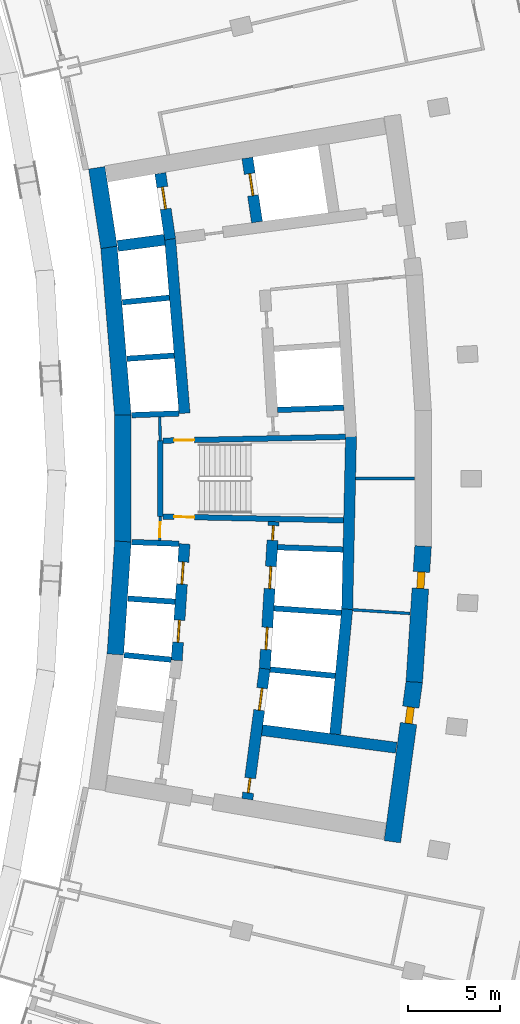
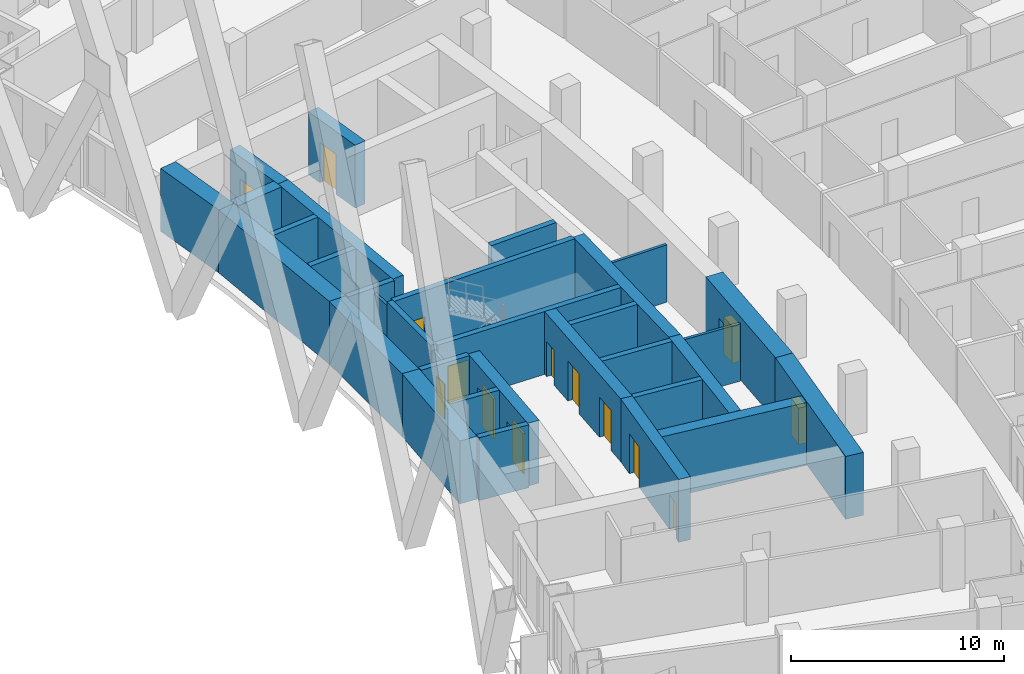
# One storey, part 16 of 25: 33 walls, 14 doors, 14 openings.
"""IFC4 building model written with IfcOpenShell, lengths in metres."""

from ifc_helpers import new_model, si_unit, direction, frame, frame_2d, origin, place, context, subcontext, project, spatial, rectangle, extrude, material, layer, layer_set, type_object, element, fill, save


model = new_model("IFC4")

# Units and contexts
model_context = context("Model", 3, precision=1e-05, world=origin(), true_north=direction((0.0, 1.0)))
body_context = subcontext(model_context, "Body", "Model", "MODEL_VIEW")
ifc_project = project(units=[si_unit("LENGTHUNIT", "METRE"), si_unit("AREAUNIT", "SQUARE_METRE"), si_unit("VOLUMEUNIT", "CUBIC_METRE"), si_unit("PLANEANGLEUNIT", "RADIAN"), si_unit("MASSUNIT", "GRAM", prefix="KILO")], contexts=[model_context])

# Site, building, storey
site_placement = place(None, origin())
site = spatial("IfcSite", under=ifc_project, at=site_placement, CompositionType="ELEMENT")
building_placement = place(site_placement, origin())
building = spatial("IfcBuilding", under=site, at=building_placement, Name="Alderwake Tower", CompositionType="ELEMENT")
storey_placement = place(building_placement, frame((0.0, 0.0, 32.0)))
storey = spatial("IfcBuildingStorey", under=building, at=storey_placement, Name="L06", CompositionType="ELEMENT", Elevation=32.0)

# Wall, opening, door
ifc_material_1 = material(Name="Gypsum shaft wall system, rated")
ifc_layer_1 = layer(ifc_material_1, 0.14990234375)
ifc_layer_set_1 = layer_set([ifc_layer_1], Name="Core room partition 150")
wall_type_1 = type_object("IfcWallType", Name="Core room partition 150", PredefinedType="PARTITIONING", material=ifc_layer_set_1)
wall_1_placement = place(storey_placement, frame((18.918701171875, 58.94384765625, 0.0), z_axis=(0.0, 0.0, 1.0), x_axis=(-0.027348257573, -0.999625966453, 0.0)))
wall_1 = element("IfcWall", 1, at=wall_1_placement, inside=storey, type_object=wall_type_1, Name="CW/L06/PA+24_-37", PredefinedType="PARTITIONING", context=body_context, shape_type="SweptSolid", body=[
    extrude(rectangle(XDim=1.29443359375, YDim=0.14990234375, at=frame_2d((0.647216796875, 0.0))), origin(), (0.0, 0.0, 1.0), 3.280029296875),
])
opening_1_placement = place(wall_1_placement, frame((0.322998046875, 0.0, 0.0)))
opening_1 = element("IfcOpeningElement", 2, at=opening_1_placement, cuts=wall_1, Name="Opening C004", PredefinedType="OPENING", context=body_context, shape_type="SweptSolid", body=[
    extrude(rectangle(XDim=0.800048828125, YDim=2.0, at=frame_2d((0.39990234375, 1.0))), frame((0.0, 0.0849609375, 0.0), z_axis=(0.0, -1.0, 0.0), x_axis=(1.0, 0.0, 0.0)), (0.0, 0.0, 1.0), 0.169921875),
])
ifc_material_2 = material(Name="Painted steel leaf, rated", Category="steel")
door_type_1 = type_object("IfcDoorType", Name="Riser access door 800", OperationType="SINGLE_SWING_LEFT", PredefinedType="DOOR", material=ifc_material_2)
door_1_placement = place(opening_1_placement, origin())
door_1 = element("IfcDoor", 3, at=door_1_placement, inside=storey, type_object=door_type_1, Name="Riser access door", OperationType="SINGLE_SWING_RIGHT", OverallHeight=2.0, OverallWidth=0.800048828125, PredefinedType="DOOR", context=body_context, shape_type="SweptSolid", body=[
    extrude(rectangle(XDim=0.800048828125, YDim=2.0, at=frame_2d((0.39990234375, 1.0))), frame((0.0, 0.02490234375, 0.0), z_axis=(0.0, -1.0, 0.0), x_axis=(1.0, 0.0, 0.0)), (0.0, 0.0, 1.0), 0.050048828125),
])
fill(opening_1, door_1)

# Walls
wall_2_placement = place(storey_placement, frame((18.918701171875, 63.05517578125, 0.0), z_axis=(0.0, 0.0, 1.0), x_axis=(-0.027327648352, 0.999626530078, 0.0)))
element("IfcWall", 4, at=wall_2_placement, inside=storey, type_object=wall_type_1, Name="CW/L06/PA+24_+22", PredefinedType="PARTITIONING", context=body_context, shape_type="SweptSolid", body=[
    extrude(rectangle(XDim=1.29541015625, YDim=0.14990234375, at=frame_2d((0.647705078125, 0.0))), origin(), (0.0, 0.0, 1.0), 3.280029296875),
])
wall_3_placement = place(storey_placement, frame((29.368408203125, 53.8779296875, 0.0), z_axis=(0.0, 0.0, 1.0), x_axis=(0.997885422127, -0.064997571548, 0.0)))
element("IfcWall", 5, at=wall_3_placement, inside=storey, type_object=wall_type_1, Name="CW/L06/PR-68_+128", PredefinedType="PARTITIONING", context=body_context, shape_type="SweptSolid", body=[
    extrude(rectangle(XDim=3.110107421875, YDim=0.14990234375, at=frame_2d((1.55517578125, 0.0))), origin(), (0.0, 0.0, 1.0), 3.280029296875),
])
wall_4_placement = place(storey_placement, frame((29.526123046875, 61.0, 0.0), z_axis=(0.0, 0.0, 1.0), x_axis=(1.0, 0.0, 0.0)))
element("IfcWall", 6, at=wall_4_placement, inside=storey, type_object=wall_type_1, Name="CW/L06/PR+0_+128", PredefinedType="PARTITIONING", context=body_context, shape_type="SweptSolid", body=[
    extrude(rectangle(XDim=3.18408203125, YDim=0.14990234375, at=frame_2d((1.592041015625, 0.0))), origin(), (0.0, 0.0, 1.0), 3.280029296875),
])
ifc_material_3 = material(Name="Concrete C70/85", Category="concrete")
ifc_layer_2 = layer(ifc_material_3, 0.89990234375)
ifc_layer_set_2 = layer_set([ifc_layer_2], Name="Core wall outer 900 C70-85")
wall_type_2 = type_object("IfcWallType", Name="Core wall outer 900 C70-85", PredefinedType="SHEAR", material=ifc_layer_set_2)
wall_5_placement = place(storey_placement, frame((16.47900390625, 51.449951171875, 0.0), z_axis=(0.0, 0.0, 1.0), x_axis=(0.06689316208, 0.997760143956, 0.0)))
element("IfcWall", 7, at=wall_5_placement, inside=storey, type_object=wall_type_2, Name="Core wall CW.041", PredefinedType="SHEAR", context=body_context, shape_type="SweptSolid", body=[
    extrude(rectangle(XDim=6.149658203125, YDim=0.89990234375, at=frame_2d((3.07470703125, 0.0))), origin(), (0.0, 0.0, 1.0), 3.60009765625),
])
wall_6_placement = place(storey_placement, frame((16.889404296875, 57.5546875, 0.0), z_axis=(0.0, 0.0, 1.0), x_axis=(0.0, 1.0, 0.0)))
element("IfcWall", 8, at=wall_6_placement, inside=storey, type_object=wall_type_2, Name="Core wall CW.043", PredefinedType="SHEAR", context=body_context, shape_type="SweptSolid", body=[
    extrude(rectangle(XDim=6.89404296875, YDim=0.89990234375, at=frame_2d((3.447021484375, 0.0))), origin(), (0.0, 0.0, 1.0), 3.60009765625),
])
wall_7_placement = place(storey_placement, frame((16.890869140625, 64.41064453125, 0.0), z_axis=(0.0, 0.0, 1.0), x_axis=(-0.082624275373, 0.996580768989, 0.0)))
element("IfcWall", 9, at=wall_7_placement, inside=storey, type_object=wall_type_2, Name="Core wall CW.040", PredefinedType="SHEAR", context=body_context, shape_type="SweptSolid", body=[
    extrude(rectangle(XDim=9.210205078125, YDim=0.89990234375, at=frame_2d((4.60498046875, 0.0))), origin(), (0.0, 0.0, 1.0), 3.60009765625),
])
wall_8_placement = place(storey_placement, frame((16.1337890625, 73.557373046875, 0.0), z_axis=(0.0, 0.0, 1.0), x_axis=(-0.151956504286, 0.988387181627, 0.0)))
element("IfcWall", 10, at=wall_8_placement, inside=storey, type_object=wall_type_2, Name="Core wall CW.039", PredefinedType="SHEAR", context=body_context, shape_type="SweptSolid", body=[
    extrude(rectangle(XDim=4.373291015625, YDim=0.89990234375, at=frame_2d((2.1865234375, 0.0))), origin(), (0.0, 0.0, 1.0), 3.60009765625),
])

# Wall, opening, door
wall_9_placement = place(storey_placement, frame((32.7138671875, 49.9873046875, 0.0), z_axis=(0.0, 0.0, 1.0), x_axis=(-0.135844728876, -0.990730139663, 0.0)))
wall_9 = element("IfcWall", 11, at=wall_9_placement, inside=storey, type_object=wall_type_2, Name="Core wall CW.012", PredefinedType="SHEAR", context=body_context, shape_type="SweptSolid", body=[
    extrude(rectangle(XDim=8.78662109375, YDim=0.89990234375, at=frame_2d((4.393310546875, 0.0))), origin(), (0.0, 0.0, 1.0), 3.60009765625),
])
opening_2_placement = place(wall_9_placement, frame((1.40673828125, 0.0, 0.0)))
opening_2 = element("IfcOpeningElement", 12, at=opening_2_placement, cuts=wall_9, Name="Opening C049", PredefinedType="OPENING", context=body_context, shape_type="SweptSolid", body=[
    extrude(rectangle(XDim=0.89990234375, YDim=2.10009765625, at=frame_2d((0.449951171875, 1.050048828125))), frame((0.0, 0.4599609375, 0.0), z_axis=(0.0, -1.0, 0.0), x_axis=(1.0, 0.0, 0.0)), (0.0, 0.0, 1.0), 0.919921875),
])
ifc_material_4 = material(Name="Painted steel leaf", Category="steel")
door_type_2 = type_object("IfcDoorType", Name="Core room door 900", OperationType="SINGLE_SWING_LEFT", PredefinedType="DOOR", material=ifc_material_4)
door_2_placement = place(opening_2_placement, origin())
door_2 = element("IfcDoor", 13, at=door_2_placement, inside=storey, type_object=door_type_2, Name="Room door", OperationType="SINGLE_SWING_LEFT", OverallHeight=2.10009765625, OverallWidth=0.89990234375, PredefinedType="DOOR", context=body_context, shape_type="SweptSolid", body=[
    extrude(rectangle(XDim=0.89990234375, YDim=2.10009765625, at=frame_2d((0.449951171875, 1.050048828125))), frame((0.0, 0.199951171875, 0.0), z_axis=(0.0, -1.0, 0.0), x_axis=(1.0, 0.0, 0.0)), (0.0, 0.0, 1.0), 0.39990234375),
])
fill(opening_2, door_2)

wall_10_placement = place(storey_placement, frame((33.191162109375, 57.33349609375, 0.0), z_axis=(0.0, 0.0, 1.0), x_axis=(-0.064976219143, -0.997886812693, 0.0)))
wall_10 = element("IfcWall", 14, at=wall_10_placement, inside=storey, type_object=wall_type_2, Name="Core wall CW.011", PredefinedType="SHEAR", context=body_context, shape_type="SweptSolid", body=[
    extrude(rectangle(XDim=7.39453125, YDim=0.89990234375, at=frame_2d((3.697265625, 0.0))), origin(), (0.0, 0.0, 1.0), 3.60009765625),
])
opening_3_placement = place(wall_10_placement, frame((1.405517578125, 0.0, 0.0)))
opening_3 = element("IfcOpeningElement", 15, at=opening_3_placement, cuts=wall_10, Name="Opening C028", PredefinedType="OPENING", context=body_context, shape_type="SweptSolid", body=[
    extrude(rectangle(XDim=0.89990234375, YDim=2.10009765625, at=frame_2d((0.449951171875, 1.050048828125))), frame((0.0, 0.4599609375, 0.0), z_axis=(0.0, -1.0, 0.0), x_axis=(1.0, 0.0, 0.0)), (0.0, 0.0, 1.0), 0.919921875),
])
door_3_placement = place(opening_3_placement, origin())
door_3 = element("IfcDoor", 16, at=door_3_placement, inside=storey, type_object=door_type_2, Name="Room door", OperationType="SINGLE_SWING_LEFT", OverallHeight=2.10009765625, OverallWidth=0.89990234375, PredefinedType="DOOR", context=body_context, shape_type="SweptSolid", body=[
    extrude(rectangle(XDim=0.89990234375, YDim=2.10009765625, at=frame_2d((0.449951171875, 1.050048828125))), frame((0.0, 0.199951171875, 0.0), z_axis=(0.0, -1.0, 0.0), x_axis=(1.0, 0.0, 0.0)), (0.0, 0.0, 1.0), 0.39990234375),
])
fill(opening_3, door_3)

# Walls
ifc_material_5 = material(Name="Concrete C70/85", Category="concrete")
ifc_layer_3 = layer(ifc_material_5, 0.300048828125)
ifc_layer_set_3 = layer_set([ifc_layer_3], Name="Core wall shaft 300 C70-85")
wall_type_3 = type_object("IfcWallType", Name="Core wall shaft 300 C70-85", PredefinedType="SHEAR", material=ifc_layer_set_3)
wall_11_placement = place(storey_placement, frame((16.9580078125, 51.4189453125, 0.0), z_axis=(0.0, 0.0, 1.0), x_axis=(0.995153154577, -0.098337169657, 0.0)))
element("IfcWall", 17, at=wall_11_placement, inside=storey, type_object=wall_type_3, Name="Core wall CW.065", PredefinedType="SHEAR", context=body_context, shape_type="SweptSolid", body=[
    extrude(rectangle(XDim=2.569580078125, YDim=0.300048828125, at=frame_2d((1.28466796875, 0.0))), origin(), (0.0, 0.0, 1.0), 3.60009765625),
])
wall_12_placement = place(storey_placement, frame((24.889404296875, 50.635009765625, 0.0), z_axis=(0.0, 0.0, 1.0), x_axis=(0.995157756799, -0.098290584916, 0.0)))
element("IfcWall", 18, at=wall_12_placement, inside=storey, type_object=wall_type_3, Name="Core wall CW.066", PredefinedType="SHEAR", context=body_context, shape_type="SweptSolid", body=[
    extrude(rectangle(XDim=3.546875, YDim=0.300048828125, at=frame_2d((1.7734375, 0.0))), origin(), (0.0, 0.0, 1.0), 3.60009765625),
])
wall_13_placement = place(storey_placement, frame((17.16357421875, 54.486083984375, 0.0), z_axis=(0.0, 0.0, 1.0), x_axis=(0.997758581961, -0.066916456292, 0.0)))
element("IfcWall", 19, at=wall_13_placement, inside=storey, type_object=wall_type_3, Name="Core wall CW.079", PredefinedType="SHEAR", context=body_context, shape_type="SweptSolid", body=[
    extrude(rectangle(XDim=2.568603515625, YDim=0.300048828125, at=frame_2d((1.2841796875, 0.0))), origin(), (0.0, 0.0, 1.0), 3.60009765625),
])
wall_14_placement = place(storey_placement, frame((25.090087890625, 53.954833984375, 0.0), z_axis=(0.0, 0.0, 1.0), x_axis=(0.997759755038, -0.066898962827, 0.0)))
element("IfcWall", 20, at=wall_14_placement, inside=storey, type_object=wall_type_3, Name="Core wall CW.080", PredefinedType="SHEAR", context=body_context, shape_type="SweptSolid", body=[
    extrude(rectangle(XDim=3.667724609375, YDim=0.300048828125, at=frame_2d((1.833984375, 0.0))), origin(), (0.0, 0.0, 1.0), 3.60009765625),
])
wall_15_placement = place(storey_placement, frame((17.369140625, 57.553466796875, 0.0), z_axis=(0.0, 0.0, 1.0), x_axis=(0.99937189907, -0.035437372217, 0.0)))
element("IfcWall", 21, at=wall_15_placement, inside=storey, type_object=wall_type_3, Name="Core wall CW.076", PredefinedType="SHEAR", context=body_context, shape_type="SweptSolid", body=[
    extrude(rectangle(XDim=2.56982421875, YDim=0.300048828125, at=frame_2d((1.284912109375, 0.0))), origin(), (0.0, 0.0, 1.0), 3.60009765625),
])
wall_16_placement = place(storey_placement, frame((25.29052734375, 57.27294921875, 0.0), z_axis=(0.0, 0.0, 1.0), x_axis=(0.999373490158, -0.035392473348, 0.0)))
element("IfcWall", 22, at=wall_16_placement, inside=storey, type_object=wall_type_3, Name="Core wall CW.077", PredefinedType="SHEAR", context=body_context, shape_type="SweptSolid", body=[
    extrude(rectangle(XDim=3.552490234375, YDim=0.300048828125, at=frame_2d((1.7763671875, 0.0))), origin(), (0.0, 0.0, 1.0), 3.60009765625),
])
wall_17_placement = place(storey_placement, frame((17.369384765625, 64.446533203125, 0.0), z_axis=(0.0, 0.0, 1.0), x_axis=(0.999371660382, 0.035444102817, 0.0)))
element("IfcWall", 23, at=wall_17_placement, inside=storey, type_object=wall_type_3, Name="Core wall CW.059", PredefinedType="SHEAR", context=body_context, shape_type="SweptSolid", body=[
    extrude(rectangle(XDim=2.5693359375, YDim=0.300048828125, at=frame_2d((1.28466796875, 0.0))), origin(), (0.0, 0.0, 1.0), 3.60009765625),
])
wall_18_placement = place(storey_placement, frame((25.291259765625, 64.72705078125, 0.0), z_axis=(0.0, 0.0, 1.0), x_axis=(0.999373454301, 0.035393485806, 0.0)))
element("IfcWall", 24, at=wall_18_placement, inside=storey, type_object=wall_type_3, Name="Core wall CW.060", PredefinedType="SHEAR", context=body_context, shape_type="SweptSolid", body=[
    extrude(rectangle(XDim=3.59375, YDim=0.300048828125, at=frame_2d((1.796875, 0.0))), origin(), (0.0, 0.0, 1.0), 3.60009765625),
])
for number, where, z_axis, x_axis, name in (
    (25, (17.115478515625, 67.510498046875, 0.0), (0.0, 0.0, 1.0), (0.99775517309, 0.06696726493, 0.0), "Core wall CW.062"),
    (26, (16.86181640625, 70.571533203125, 0.0), (0.0, 0.0, 1.0), (0.995151424955, 0.098354671516, 0.0), "Core wall CW.050"),
):
    element("IfcWall", number, at=place(storey_placement, frame(where, z_axis=z_axis, x_axis=x_axis)), inside=storey, type_object=wall_type_3, Name=name, PredefinedType="SHEAR", context=body_context, shape_type="SweptSolid", body=[
        extrude(rectangle(XDim=2.566650390625, YDim=0.300048828125, at=frame_2d((1.283203125, 0.0))), origin(), (0.0, 0.0, 1.0), 3.60009765625),
    ])

# Wall, openings, doors
ifc_material_6 = material(Name="Concrete C70/85", Category="concrete")
ifc_layer_4 = layer(ifc_material_6, 0.60009765625)
ifc_layer_set_4 = layer_set([ifc_layer_4], Name="Core wall spine 600 C70-85")
wall_type_4 = type_object("IfcWallType", Name="Core wall spine 600 C70-85", PredefinedType="SHEAR", material=ifc_layer_set_4)
wall_19_placement = place(storey_placement, frame((19.813232421875, 51.12646484375, 0.0), z_axis=(0.0, 0.0, 1.0), x_axis=(0.066892179723, 0.997760209816, 0.0)))
wall_19 = element("IfcWall", 27, at=wall_19_placement, inside=storey, type_object=wall_type_4, Name="Core wall CW.032", PredefinedType="SHEAR", context=body_context, shape_type="SweptSolid", body=[
    extrude(rectangle(XDim=6.339599609375, YDim=0.60009765625, at=frame_2d((3.169921875, 0.0))), origin(), (0.0, 0.0, 1.0), 3.60009765625),
])
opening_4_placement = place(wall_19_placement, frame((0.992431640625, 0.0, 0.0)))
opening_4 = element("IfcOpeningElement", 28, at=opening_4_placement, cuts=wall_19, Name="Opening LD-LP2", PredefinedType="OPENING", context=body_context, shape_type="SweptSolid", body=[
    extrude(rectangle(XDim=1.199951171875, YDim=2.300048828125, at=frame_2d((0.60009765625, 1.14990234375))), frame((0.0, 0.31005859375, 0.0), z_axis=(0.0, -1.0, 0.0), x_axis=(1.0, 0.0, 0.0)), (0.0, 0.0, 1.0), 0.6201171875),
])
opening_5_placement = place(wall_19_placement, frame((4.157470703125, 0.0, 0.0)))
opening_5 = element("IfcOpeningElement", 29, at=opening_5_placement, cuts=wall_19, Name="Opening LD-LP3", PredefinedType="OPENING", context=body_context, shape_type="SweptSolid", body=[
    extrude(rectangle(XDim=1.199951171875, YDim=2.300048828125, at=frame_2d((0.60009765625, 1.14990234375))), frame((0.0, 0.31005859375, 0.0), z_axis=(0.0, -1.0, 0.0), x_axis=(1.0, 0.0, 0.0)), (0.0, 0.0, 1.0), 0.6201171875),
])
ifc_material_7 = material(Name="Stainless steel sliding leaf", Category="steel")
door_type_3 = type_object("IfcDoorType", Name="Lift landing door 1200", OperationType="SLIDING_TO_LEFT", PredefinedType="DOOR", material=ifc_material_7)
door_4_placement = place(opening_4_placement, origin())
door_4 = element("IfcDoor", 30, at=door_4_placement, inside=storey, type_object=door_type_3, Name="Lift landing door LP2", OperationType="SLIDING_TO_LEFT", OverallHeight=2.300048828125, OverallWidth=1.199951171875, PredefinedType="DOOR", context=body_context, shape_type="SweptSolid", body=[
    extrude(rectangle(XDim=1.199951171875, YDim=2.300048828125, at=frame_2d((0.60009765625, 1.14990234375))), frame((0.0, 0.050048828125, 0.0), z_axis=(0.0, -1.0, 0.0), x_axis=(1.0, 0.0, 0.0)), (0.0, 0.0, 1.0), 0.10009765625),
])
fill(opening_4, door_4)
door_5_placement = place(opening_5_placement, origin())
door_5 = element("IfcDoor", 31, at=door_5_placement, inside=storey, type_object=door_type_3, Name="Lift landing door LP3", OperationType="SLIDING_TO_LEFT", OverallHeight=2.300048828125, OverallWidth=1.199951171875, PredefinedType="DOOR", context=body_context, shape_type="SweptSolid", body=[
    extrude(rectangle(XDim=1.199951171875, YDim=2.300048828125, at=frame_2d((0.60009765625, 1.14990234375))), frame((0.0, 0.050048828125, 0.0), z_axis=(0.0, -1.0, 0.0), x_axis=(1.0, 0.0, 0.0)), (0.0, 0.0, 1.0), 0.10009765625),
])
fill(opening_5, door_5)

# Wall
wall_20_placement = place(storey_placement, frame((20.2373046875, 64.548095703125, 0.0), z_axis=(0.0, 0.0, 1.0), x_axis=(-0.082626598613, 0.996580576372, 0.0)))
element("IfcWall", 32, at=wall_20_placement, inside=storey, type_object=wall_type_4, Name="Core wall CW.031", PredefinedType="SHEAR", context=body_context, shape_type="SweptSolid", body=[
    extrude(rectangle(XDim=9.50244140625, YDim=0.60009765625, at=frame_2d((4.751220703125, 0.0))), origin(), (0.0, 0.0, 1.0), 3.60009765625),
])

# Wall, opening, door
wall_21_placement = place(storey_placement, frame((19.45458984375, 73.99755859375, 0.0), z_axis=(0.0, 0.0, 1.0), x_axis=(-0.147502312715, 0.989061710786, 0.0)))
wall_21 = element("IfcWall", 33, at=wall_21_placement, inside=storey, type_object=wall_type_4, Name="Core wall CW.030", PredefinedType="SHEAR", context=body_context, shape_type="SweptSolid", body=[
    extrude(rectangle(XDim=3.6181640625, YDim=0.60009765625, at=frame_2d((1.80908203125, 0.0))), origin(), (0.0, 0.0, 1.0), 3.60009765625),
])
opening_6_placement = place(wall_21_placement, frame((1.664306640625, 0.0, 0.0)))
opening_6 = element("IfcOpeningElement", 34, at=opening_6_placement, cuts=wall_21, Name="Opening LD-FF1", PredefinedType="OPENING", context=body_context, shape_type="SweptSolid", body=[
    extrude(rectangle(XDim=1.199951171875, YDim=2.300048828125, at=frame_2d((0.60009765625, 1.14990234375))), frame((0.0, 0.31005859375, 0.0), z_axis=(0.0, -1.0, 0.0), x_axis=(1.0, 0.0, 0.0)), (0.0, 0.0, 1.0), 0.6201171875),
])
door_6_placement = place(opening_6_placement, origin())
door_6 = element("IfcDoor", 35, at=door_6_placement, inside=storey, type_object=door_type_3, Name="Lift landing door FF1", OperationType="SLIDING_TO_LEFT", OverallHeight=2.300048828125, OverallWidth=1.199951171875, PredefinedType="DOOR", context=body_context, shape_type="SweptSolid", body=[
    extrude(rectangle(XDim=1.199951171875, YDim=2.300048828125, at=frame_2d((0.60009765625, 1.14990234375))), frame((0.0, 0.050048828125, 0.0), z_axis=(0.0, -1.0, 0.0), x_axis=(1.0, 0.0, 0.0)), (0.0, 0.0, 1.0), 0.10009765625),
])
fill(opening_6, door_6)

# Wall, openings, doors
wall_22_placement = place(storey_placement, frame((23.647705078125, 43.588134765625, 0.0), z_axis=(0.0, 0.0, 1.0), x_axis=(0.132069785658, 0.991240420744, 0.0)))
wall_22 = element("IfcWall", 36, at=wall_22_placement, inside=storey, type_object=wall_type_4, Name="Core wall CW.047", PredefinedType="SHEAR", context=body_context, shape_type="SweptSolid", body=[
    extrude(rectangle(XDim=7.150390625, YDim=0.60009765625, at=frame_2d((3.5751953125, 0.0))), origin(), (0.0, 0.0, 1.0), 3.60009765625),
])
opening_7_placement = place(wall_22_placement, frame((4.88134765625, 0.0, 0.0)))
opening_7 = element("IfcOpeningElement", 37, at=opening_7_placement, cuts=wall_22, Name="Opening LD-LP4", PredefinedType="OPENING", context=body_context, shape_type="SweptSolid", body=[
    extrude(rectangle(XDim=1.199951171875, YDim=2.300048828125, at=frame_2d((0.60009765625, 1.14990234375))), frame((0.0, 0.31005859375, 0.0), z_axis=(0.0, -1.0, 0.0), x_axis=(1.0, 0.0, 0.0)), (0.0, 0.0, 1.0), 0.6201171875),
])
opening_8_placement = place(wall_22_placement, frame((0.35791015625, 0.0, 0.0)))
opening_8 = element("IfcOpeningElement", 38, at=opening_8_placement, cuts=wall_22, Name="Opening C014", PredefinedType="OPENING", context=body_context, shape_type="SweptSolid", body=[
    extrude(rectangle(XDim=0.800048828125, YDim=2.0, at=frame_2d((0.39990234375, 1.0))), frame((0.0, 0.31005859375, 0.0), z_axis=(0.0, -1.0, 0.0), x_axis=(1.0, 0.0, 0.0)), (0.0, 0.0, 1.0), 0.6201171875),
])
door_7_placement = place(opening_7_placement, origin())
door_7 = element("IfcDoor", 39, at=door_7_placement, inside=storey, type_object=door_type_3, Name="Lift landing door LP4", OperationType="SLIDING_TO_LEFT", OverallHeight=2.300048828125, OverallWidth=1.199951171875, PredefinedType="DOOR", context=body_context, shape_type="SweptSolid", body=[
    extrude(rectangle(XDim=1.199951171875, YDim=2.300048828125, at=frame_2d((0.60009765625, 1.14990234375))), frame((0.0, 0.050048828125, 0.0), z_axis=(0.0, -1.0, 0.0), x_axis=(1.0, 0.0, 0.0)), (0.0, 0.0, 1.0), 0.10009765625),
])
fill(opening_7, door_7)
door_8_placement = place(opening_8_placement, origin())
door_8 = element("IfcDoor", 40, at=door_8_placement, inside=storey, type_object=door_type_1, Name="Riser access door", OperationType="SINGLE_SWING_RIGHT", OverallHeight=2.0, OverallWidth=0.800048828125, PredefinedType="DOOR", context=body_context, shape_type="SweptSolid", body=[
    extrude(rectangle(XDim=0.800048828125, YDim=2.0, at=frame_2d((0.39990234375, 1.0))), frame((0.0, 0.050048828125, 0.0), z_axis=(0.0, -1.0, 0.0), x_axis=(1.0, 0.0, 0.0)), (0.0, 0.0, 1.0), 0.10009765625),
])
fill(opening_8, door_8)

wall_23_placement = place(storey_placement, frame((24.58984375, 50.6533203125, 0.0), z_axis=(0.0, 0.0, 1.0), x_axis=(0.060323309079, 0.998178890972, 0.0)))
wall_23 = element("IfcWall", 41, at=wall_23_placement, inside=storey, type_object=wall_type_4, Name="Core wall CW.046", PredefinedType="SHEAR", context=body_context, shape_type="SweptSolid", body=[
    extrude(rectangle(XDim=8.025634765625, YDim=0.60009765625, at=frame_2d((4.0126953125, 0.0))), origin(), (0.0, 0.0, 1.0), 3.60009765625),
])
opening_9_placement = place(wall_23_placement, frame((1.06884765625, 0.0, 0.0)))
opening_9 = element("IfcOpeningElement", 42, at=opening_9_placement, cuts=wall_23, Name="Opening LD-LP5", PredefinedType="OPENING", context=body_context, shape_type="SweptSolid", body=[
    extrude(rectangle(XDim=1.199951171875, YDim=2.300048828125, at=frame_2d((0.60009765625, 1.14990234375))), frame((0.0, 0.31005859375, 0.0), z_axis=(0.0, -1.0, 0.0), x_axis=(1.0, 0.0, 0.0)), (0.0, 0.0, 1.0), 0.6201171875),
])
opening_10_placement = place(wall_23_placement, frame((4.38525390625, 0.0, 0.0)))
opening_10 = element("IfcOpeningElement", 43, at=opening_10_placement, cuts=wall_23, Name="Opening LD-LP6", PredefinedType="OPENING", context=body_context, shape_type="SweptSolid", body=[
    extrude(rectangle(XDim=1.199951171875, YDim=2.300048828125, at=frame_2d((0.60009765625, 1.14990234375))), frame((0.0, 0.31005859375, 0.0), z_axis=(0.0, -1.0, 0.0), x_axis=(1.0, 0.0, 0.0)), (0.0, 0.0, 1.0), 0.6201171875),
])
opening_11_placement = place(wall_23_placement, frame((7.009521484375, 0.0, 0.0)))
opening_11 = element("IfcOpeningElement", 44, at=opening_11_placement, cuts=wall_23, Name="Opening C006", PredefinedType="OPENING", context=body_context, shape_type="SweptSolid", body=[
    extrude(rectangle(XDim=0.800048828125, YDim=2.0, at=frame_2d((0.39990234375, 1.0))), frame((0.0, 0.31005859375, 0.0), z_axis=(0.0, -1.0, 0.0), x_axis=(1.0, 0.0, 0.0)), (0.0, 0.0, 1.0), 0.6201171875),
])
door_9_placement = place(opening_9_placement, origin())
door_9 = element("IfcDoor", 45, at=door_9_placement, inside=storey, type_object=door_type_3, Name="Lift landing door LP5", OperationType="SLIDING_TO_LEFT", OverallHeight=2.300048828125, OverallWidth=1.199951171875, PredefinedType="DOOR", context=body_context, shape_type="SweptSolid", body=[
    extrude(rectangle(XDim=1.199951171875, YDim=2.300048828125, at=frame_2d((0.60009765625, 1.14990234375))), frame((0.0, 0.050048828125, 0.0), z_axis=(0.0, -1.0, 0.0), x_axis=(1.0, 0.0, 0.0)), (0.0, 0.0, 1.0), 0.10009765625),
])
fill(opening_9, door_9)
door_10_placement = place(opening_10_placement, origin())
door_10 = element("IfcDoor", 46, at=door_10_placement, inside=storey, type_object=door_type_3, Name="Lift landing door LP6", OperationType="SLIDING_TO_LEFT", OverallHeight=2.300048828125, OverallWidth=1.199951171875, PredefinedType="DOOR", context=body_context, shape_type="SweptSolid", body=[
    extrude(rectangle(XDim=1.199951171875, YDim=2.300048828125, at=frame_2d((0.60009765625, 1.14990234375))), frame((0.0, 0.050048828125, 0.0), z_axis=(0.0, -1.0, 0.0), x_axis=(1.0, 0.0, 0.0)), (0.0, 0.0, 1.0), 0.10009765625),
])
fill(opening_10, door_10)
door_11_placement = place(opening_11_placement, origin())
door_11 = element("IfcDoor", 47, at=door_11_placement, inside=storey, type_object=door_type_1, Name="Riser access door", OperationType="SINGLE_SWING_RIGHT", OverallHeight=2.0, OverallWidth=0.800048828125, PredefinedType="DOOR", context=body_context, shape_type="SweptSolid", body=[
    extrude(rectangle(XDim=0.800048828125, YDim=2.0, at=frame_2d((0.39990234375, 1.0))), frame((0.0, 0.050048828125, 0.0), z_axis=(0.0, -1.0, 0.0), x_axis=(1.0, 0.0, 0.0)), (0.0, 0.0, 1.0), 0.10009765625),
])
fill(opening_11, door_11)

# Wall, opening, door
wall_24_placement = place(storey_placement, frame((24.173095703125, 74.927734375, 0.0), z_axis=(0.0, 0.0, 1.0), x_axis=(-0.14910953086, 0.988820685365, 0.0)))
wall_24 = element("IfcWall", 48, at=wall_24_placement, inside=storey, type_object=wall_type_4, Name="Core wall CW.044", PredefinedType="SHEAR", context=body_context, shape_type="SweptSolid", body=[
    extrude(rectangle(XDim=3.5234375, YDim=0.60009765625, at=frame_2d((1.76171875, 0.0))), origin(), (0.0, 0.0, 1.0), 3.60009765625),
])
opening_12_placement = place(wall_24_placement, frame((1.4619140625, 0.0, 0.0)))
opening_12 = element("IfcOpeningElement", 49, at=opening_12_placement, cuts=wall_24, Name="Opening LD-FF2", PredefinedType="OPENING", context=body_context, shape_type="SweptSolid", body=[
    extrude(rectangle(XDim=1.199951171875, YDim=2.300048828125, at=frame_2d((0.60009765625, 1.14990234375))), frame((0.0, 0.31005859375, 0.0), z_axis=(0.0, -1.0, 0.0), x_axis=(1.0, 0.0, 0.0)), (0.0, 0.0, 1.0), 0.6201171875),
])
door_12_placement = place(opening_12_placement, origin())
door_12 = element("IfcDoor", 50, at=door_12_placement, inside=storey, type_object=door_type_3, Name="Lift landing door FF2", OperationType="SLIDING_TO_LEFT", OverallHeight=2.300048828125, OverallWidth=1.199951171875, PredefinedType="DOOR", context=body_context, shape_type="SweptSolid", body=[
    extrude(rectangle(XDim=1.199951171875, YDim=2.300048828125, at=frame_2d((0.60009765625, 1.14990234375))), frame((0.0, 0.050048828125, 0.0), z_axis=(0.0, -1.0, 0.0), x_axis=(1.0, 0.0, 0.0)), (0.0, 0.0, 1.0), 0.10009765625),
])
fill(opening_12, door_12)

# Walls
wall_25_placement = place(storey_placement, frame((28.415283203125, 47.12255859375, 0.0), z_axis=(0.0, 0.0, 1.0), x_axis=(0.096035810952, 0.995377879508, 0.0)))
element("IfcWall", 51, at=wall_25_placement, inside=storey, type_object=wall_type_4, Name="Core wall CW.005", PredefinedType="SHEAR", context=body_context, shape_type="SweptSolid", body=[
    extrude(rectangle(XDim=6.818115234375, YDim=0.60009765625, at=frame_2d((3.4091796875, 0.0))), origin(), (0.0, 0.0, 1.0), 3.60009765625),
])
wall_26_placement = place(storey_placement, frame((29.068603515625, 53.885986328125, 0.0), z_axis=(0.0, 0.0, 1.0), x_axis=(0.022123304576, 0.999755249746, 0.0)))
element("IfcWall", 52, at=wall_26_placement, inside=storey, type_object=wall_type_4, Name="Core wall CW.008", PredefinedType="SHEAR", context=body_context, shape_type="SweptSolid", body=[
    extrude(rectangle(XDim=9.402099609375, YDim=0.60009765625, at=frame_2d((4.701171875, 0.0))), origin(), (0.0, 0.0, 1.0), 3.60009765625),
])
wall_27_placement = place(storey_placement, frame((24.4501953125, 47.338623046875, 0.0), z_axis=(0.0, 0.0, 1.0), x_axis=(0.991554769286, -0.129688625198, 0.0)))
element("IfcWall", 53, at=wall_27_placement, inside=storey, type_object=wall_type_4, Name="Core wall CW.069", PredefinedType="SHEAR", context=body_context, shape_type="SweptSolid", body=[
    extrude(rectangle(XDim=7.347412109375, YDim=0.60009765625, at=frame_2d((3.673828125, 0.0))), origin(), (0.0, 0.0, 1.0), 3.60009765625),
])
wall_28_placement = place(storey_placement, frame((16.607666015625, 73.635498046875, 0.0), z_axis=(0.0, 0.0, 1.0), x_axis=(0.991551057449, 0.129717001478, 0.0)))
element("IfcWall", 54, at=wall_28_placement, inside=storey, type_object=wall_type_4, Name="Core wall CW.051", PredefinedType="SHEAR", context=body_context, shape_type="SweptSolid", body=[
    extrude(rectangle(XDim=2.569091796875, YDim=0.60009765625, at=frame_2d((1.28466796875, 0.0))), origin(), (0.0, 0.0, 1.0), 3.60009765625),
])
ifc_material_8 = material(Name="Concrete C70/85", Category="concrete")
ifc_layer_5 = layer(ifc_material_8, 0.300048828125)
ifc_layer_set_5 = layer_set([ifc_layer_5], Name="Core wall stair enclosure 300 C70-85")
wall_type_5 = type_object("IfcWallType", Name="Core wall stair enclosure 300 C70-85", PredefinedType="SHEAR", material=ifc_layer_set_5)
wall_29_placement = place(storey_placement, frame((18.918701171875, 58.94091796875, 0.0), z_axis=(0.0, 0.0, 1.0), x_axis=(0.0, 1.0, 0.0)))
element("IfcWall", 55, at=wall_29_placement, inside=storey, type_object=wall_type_5, Name="Core wall CW.024", PredefinedType="SHEAR", context=body_context, shape_type="SweptSolid", body=[
    extrude(rectangle(XDim=4.119384765625, YDim=0.300048828125, at=frame_2d((2.0595703125, 0.0))), origin(), (0.0, 0.0, 1.0), 3.60009765625),
])

# Wall, opening, door
wall_30_placement = place(storey_placement, frame((28.8759765625, 58.735107421875, 0.0), z_axis=(0.0, 0.0, 1.0), x_axis=(-0.999783520771, 0.020806527678, 0.0)))
wall_30 = element("IfcWall", 56, at=wall_30_placement, inside=storey, type_object=wall_type_5, Name="Core wall CW.074", PredefinedType="SHEAR", context=body_context, shape_type="SweptSolid", body=[
    extrude(rectangle(XDim=9.8095703125, YDim=0.300048828125, at=frame_2d((4.90478515625, 0.0))), origin(), (0.0, 0.0, 1.0), 3.60009765625),
])
opening_13_placement = place(wall_30_placement, frame((8.109375, 0.0, 0.0)))
opening_13 = element("IfcOpeningElement", 57, at=opening_13_placement, cuts=wall_30, Name="Opening C063", PredefinedType="OPENING", context=body_context, shape_type="SweptSolid", body=[
    extrude(rectangle(XDim=1.10009765625, YDim=2.10009765625, at=frame_2d((0.550048828125, 1.050048828125))), frame((0.0, 0.159912109375, 0.0), z_axis=(0.0, -1.0, 0.0), x_axis=(1.0, 0.0, 0.0)), (0.0, 0.0, 1.0), 0.320068359375),
])
ifc_material_9 = material(Name="Steel-framed fire door leaf", Category="steel")
door_type_4 = type_object("IfcDoorType", Name="Core stair door 1100 fire-rated", OperationType="SINGLE_SWING_LEFT", PredefinedType="DOOR", material=ifc_material_9)
door_13_placement = place(opening_13_placement, origin())
door_13 = element("IfcDoor", 58, at=door_13_placement, inside=storey, type_object=door_type_4, Name="Stair door", OperationType="SINGLE_SWING_LEFT", OverallHeight=2.10009765625, OverallWidth=1.10009765625, PredefinedType="DOOR", context=body_context, shape_type="SweptSolid", body=[
    extrude(rectangle(XDim=1.10009765625, YDim=2.10009765625, at=frame_2d((0.550048828125, 1.050048828125))), frame((0.0, 0.02490234375, 0.0), z_axis=(0.0, -1.0, 0.0), x_axis=(1.0, 0.0, 0.0)), (0.0, 0.0, 1.0), 0.050048828125),
])
fill(opening_13, door_13)

wall_31_placement = place(storey_placement, frame((19.068603515625, 63.060791015625, 0.0), z_axis=(0.0, 0.0, 1.0), x_axis=(0.999783793601, 0.020793413711, 0.0)))
wall_31 = element("IfcWall", 59, at=wall_31_placement, inside=storey, type_object=wall_type_5, Name="Core wall CW.057", PredefinedType="SHEAR", context=body_context, shape_type="SweptSolid", body=[
    extrude(rectangle(XDim=9.90966796875, YDim=0.300048828125, at=frame_2d((4.954833984375, 0.0))), origin(), (0.0, 0.0, 1.0), 3.60009765625),
])
opening_14_placement = place(wall_31_placement, frame((0.60009765625, 0.0, 0.0)))
opening_14 = element("IfcOpeningElement", 60, at=opening_14_placement, cuts=wall_31, Name="Opening C064", PredefinedType="OPENING", context=body_context, shape_type="SweptSolid", body=[
    extrude(rectangle(XDim=1.10009765625, YDim=2.10009765625, at=frame_2d((0.550048828125, 1.050048828125))), frame((0.0, 0.159912109375, 0.0), z_axis=(0.0, -1.0, 0.0), x_axis=(1.0, 0.0, 0.0)), (0.0, 0.0, 1.0), 0.320068359375),
])
door_14_placement = place(opening_14_placement, origin())
door_14 = element("IfcDoor", 61, at=door_14_placement, inside=storey, type_object=door_type_4, Name="Stair door", OperationType="SINGLE_SWING_RIGHT", OverallHeight=2.10009765625, OverallWidth=1.10009765625, PredefinedType="DOOR", context=body_context, shape_type="SweptSolid", body=[
    extrude(rectangle(XDim=1.10009765625, YDim=2.10009765625, at=frame_2d((0.550048828125, 1.050048828125))), frame((0.0, 0.02490234375, 0.0), z_axis=(0.0, -1.0, 0.0), x_axis=(1.0, 0.0, 0.0)), (0.0, 0.0, 1.0), 0.050048828125),
])
fill(opening_14, door_14)

save(model, "model.ifc")
